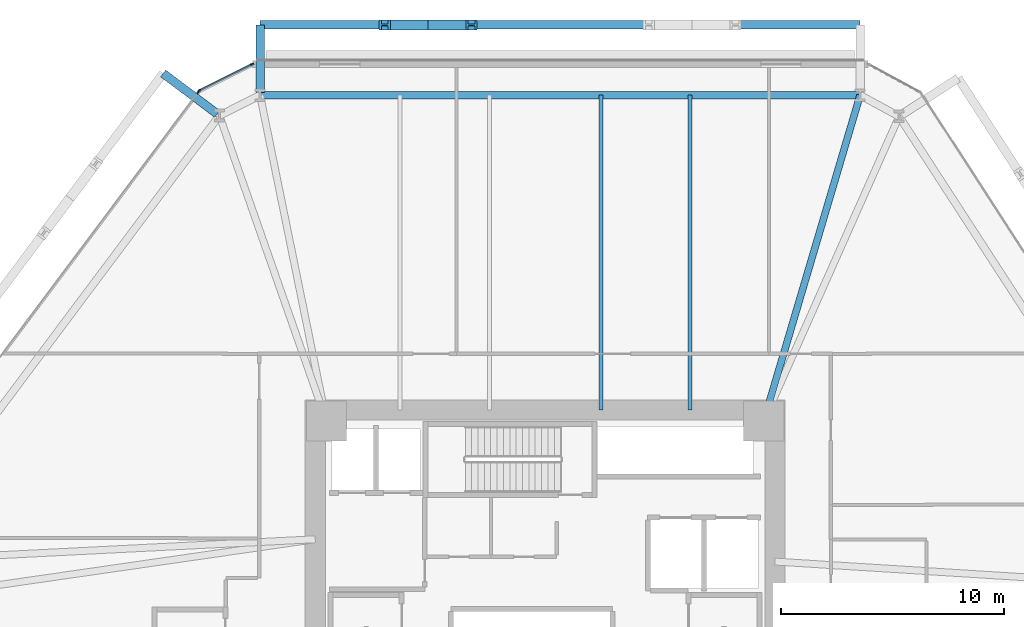
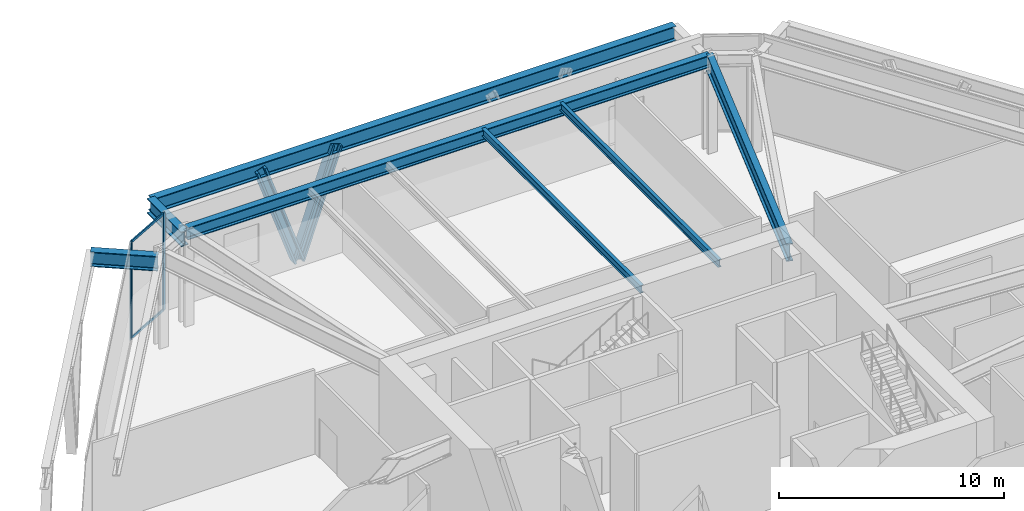
# One storey, part 9 of 19: 7 beams, 7 members, 2 elements without a shape of their own.
"""IFC4 building model written with IfcOpenShell, lengths in metres."""

from ifc_helpers import new_model, si_unit, direction, frame, origin, origin_2d, place, context, subcontext, project, spatial, rectangle, i_section, extrude, source, transform, mapped, material, layer, layer_set, material_profile, profile_set, type_object, type_shapes, element, aggregate, save


model = new_model("IFC4")

# Units and contexts
model_context = context("Model", 3, precision=1e-05, world=origin(), true_north=direction((0.0, 1.0)))
body_context = subcontext(model_context, "Body", "Model", "MODEL_VIEW")
ifc_project = project(units=[si_unit("LENGTHUNIT", "METRE"), si_unit("AREAUNIT", "SQUARE_METRE"), si_unit("VOLUMEUNIT", "CUBIC_METRE"), si_unit("PLANEANGLEUNIT", "RADIAN"), si_unit("MASSUNIT", "GRAM", prefix="KILO")], contexts=[model_context])

# Site, building, storey
site_placement = place(None, origin())
site = spatial("IfcSite", under=ifc_project, at=site_placement, CompositionType="ELEMENT")
building_placement = place(site_placement, origin())
building = spatial("IfcBuilding", under=site, at=building_placement, Name="Durnholm Broadcast Tower", CompositionType="ELEMENT")
storey_placement = place(building_placement, frame((0.0, 0.0, 15.60009765625)))
storey = spatial("IfcBuildingStorey", under=building, at=storey_placement, Name="L03", CompositionType="ELEMENT", Elevation=15.60009765625)

# Beams
ifc_material_1 = material(Name="Steel ASTM A992 Grade 50", Category="steel")
ifc_material_profile_1 = material_profile(ifc_material_1, i_section(OverallWidth=0.3330078125, OverallDepth=0.660888671875, WebThickness=0.0244140625, FlangeThickness=0.0439453125, FilletRadius=0.02783203125, at=origin_2d()), Name="W24X229")
ifc_profile_set_1 = profile_set([ifc_material_profile_1], Name="Steel ASTM A992 Grade 50")
beam_type_1 = type_object("IfcBeamType", Name="STL-SP-W24X229", PredefinedType="SPANDREL", material=ifc_profile_set_1)
shared_shape_1 = source(origin(), body_context, "Body", "SweptSolid", [
    extrude(i_section(OverallWidth=0.3330078125, OverallDepth=0.660888671875, WebThickness=0.0244140625, FlangeThickness=0.0439453125, FilletRadius=0.02783203125, at=origin_2d()), origin(), (0.0, 0.0, 1.0), 26.891357421875),
])
type_shapes(beam_type_1, [shared_shape_1])
beam_1_placement = place(storey_placement, frame((-12.77197265625, 22.39990234375, 4.934326171875), z_axis=(1.0, 0.0, 0.0), x_axis=(0.0, 1.0, 0.0)))
element("IfcBeam", 1, at=beam_1_placement, inside=storey, type_object=beam_type_1, Name="L03 perimeter spandrel girder 05", PredefinedType="SPANDREL", context=body_context, shape_type="MappedRepresentation", body=[
    mapped(shared_shape_1, transform((0.0, 0.0, 0.0), x_axis=(1.0, 0.0, 0.0), y_axis=(0.0, 1.0, 0.0), z_axis=(0.0, 0.0, 1.0), scale=1.0)),
])
ifc_material_profile_2 = material_profile(ifc_material_1, i_section(OverallWidth=0.180908203125, OverallDepth=0.417236328125, WebThickness=0.010986328125, FlangeThickness=0.018310546875, FilletRadius=0.01904296875, at=origin_2d()), Name="W16X57")
ifc_profile_set_2 = profile_set([ifc_material_profile_2], Name="Steel ASTM A992 Grade 50")
beam_type_2 = type_object("IfcBeamType", Name="STL-BJ-W16X57", PredefinedType="JOIST", material=ifc_profile_set_2)
shared_shape_2 = source(origin(), body_context, "Body", "SweptSolid", [
    extrude(i_section(OverallWidth=0.180908203125, OverallDepth=0.417236328125, WebThickness=0.010986328125, FlangeThickness=0.018310546875, FilletRadius=0.01904296875, at=origin_2d()), origin(), (0.0, 0.0, 1.0), 14.099853515625),
])
type_shapes(beam_type_2, [shared_shape_2])
for number, where, z_axis, x_axis, name in (
    (2, (2.5, 8.300048828125, 5.05615234375), (0.0, 1.0, 0.0), (-1.0, 0.0, 0.0), "L03 secondary floor joist 6.2"),
    (3, (6.5, 8.300048828125, 5.05615234375), (0.0, 1.0, 0.0), (-1.0, 0.0, 0.0), "L03 secondary floor joist 7.2"),
):
    element("IfcBeam", number, at=place(storey_placement, frame(where, z_axis=z_axis, x_axis=x_axis)), inside=storey, type_object=beam_type_2, Name=name, PredefinedType="JOIST", context=body_context, shape_type="MappedRepresentation", body=[
        mapped(shared_shape_2, transform((0.0, 0.0, 0.0), x_axis=(1.0, 0.0, 0.0), y_axis=(0.0, 1.0, 0.0), z_axis=(0.0, 0.0, 1.0), scale=1.0)),
    ])
ifc_material_profile_3 = material_profile(ifc_material_1, i_section(OverallWidth=0.385009765625, OverallDepth=0.802978515625, WebThickness=0.023681640625, FlangeThickness=0.0419921875, FilletRadius=0.032958984375, at=origin_2d()), Name="W30X261")
ifc_profile_set_3 = profile_set([ifc_material_profile_3], Name="Steel ASTM A992 Grade 50")
beam_type_3 = type_object("IfcBeamType", Name="BM-EXO-TIE", PredefinedType="USERDEFINED", material=ifc_profile_set_3)
shared_shape_3 = source(origin(), body_context, "Body", "SweptSolid", [
    extrude(i_section(OverallWidth=0.385009765625, OverallDepth=0.802978515625, WebThickness=0.023681640625, FlangeThickness=0.0419921875, FilletRadius=0.032958984375, at=origin_2d()), origin(), (0.0, 0.0, 1.0), 3.024169921875),
])
for number, where, z_axis, x_axis, name in (
    (4, (-12.77197265625, 22.52587890625, 4.5283203125), (0.0, 1.0, 0.0), (-1.0, 0.0, 0.0), "L03 exoskeleton stand-off tie bracket F4.2"),
    (5, (-14.6953125, 21.56298828125, 4.5283203125), (-0.800609912919, 0.599185920509, 0.0), (-0.599185920509, -0.800609912919, 0.0), "L03 exoskeleton stand-off tie bracket F5.1"),
):
    element("IfcBeam", number, at=place(storey_placement, frame(where, z_axis=z_axis, x_axis=x_axis)), inside=storey, type_object=beam_type_3, Name=name, ObjectType="GIRDER", PredefinedType="USERDEFINED", context=body_context, shape_type="MappedRepresentation", body=[
        mapped(shared_shape_3, transform((0.0, 0.0, 0.0), x_axis=(1.0, 0.0, 0.0), y_axis=(0.0, 1.0, 0.0), z_axis=(0.0, 0.0, 1.0), scale=1.0)),
    ])
shared_shape_4 = source(origin(), body_context, "Body", "SweptSolid", [
    extrude(i_section(OverallWidth=0.385009765625, OverallDepth=0.802978515625, WebThickness=0.023681640625, FlangeThickness=0.0419921875, FilletRadius=0.032958984375, at=origin_2d()), origin(), (0.0, 0.0, 1.0), 26.891357421875),
])
type_shapes(beam_type_3, [shared_shape_3, shared_shape_4])
beam_2_placement = place(storey_placement, frame((14.119384765625, 25.550048828125, 4.5283203125), z_axis=(-1.0, 0.0, 0.0), x_axis=(0.0, -1.0, 0.0)))
element("IfcBeam", 6, at=beam_2_placement, inside=storey, type_object=beam_type_3, Name="L03 exoskeleton collector spandrel F4", PredefinedType="SPANDREL", context=body_context, shape_type="MappedRepresentation", body=[
    mapped(shared_shape_4, transform((0.0, 0.0, 0.0), x_axis=(1.0, 0.0, 0.0), y_axis=(0.0, 1.0, 0.0), z_axis=(0.0, 0.0, 1.0), scale=1.0)),
])
ifc_material_profile_4 = material_profile(ifc_material_1, i_section(OverallWidth=0.310302734375, OverallDepth=0.950439453125, WebThickness=0.0244140625, FlangeThickness=0.0439453125, FilletRadius=0.0380859375, at=origin_2d()), Name="W36X256")
ifc_profile_set_4 = profile_set([ifc_material_profile_4], Name="Steel ASTM A992 Grade 50")
beam_type_4 = type_object("IfcBeamType", Name="STL-GR-W36X256", PredefinedType="USERDEFINED", material=ifc_profile_set_4)
shared_shape_5 = source(origin(), body_context, "Body", "SweptSolid", [
    extrude(i_section(OverallWidth=0.310302734375, OverallDepth=0.950439453125, WebThickness=0.0244140625, FlangeThickness=0.0439453125, FilletRadius=0.0380859375, at=origin_2d()), origin(), (0.0, 0.0, 1.0), 15.225341796875),
])
type_shapes(beam_type_4, [shared_shape_5])
beam_3_placement = place(storey_placement, frame((9.800048828125, 7.800048828125, 4.78955078125), z_axis=(0.283693029157, 0.958915150161, 0.0), x_axis=(-0.958915150161, 0.283693029157, 0.0)))
element("IfcBeam", 7, at=beam_3_placement, inside=storey, type_object=beam_type_4, Name="L03 radial primary floor girder 06", ObjectType="GIRDER", PredefinedType="USERDEFINED", context=body_context, shape_type="MappedRepresentation", body=[
    mapped(shared_shape_5, transform((0.0, 0.0, 0.0), x_axis=(1.0, 0.0, 0.0), y_axis=(0.0, 1.0, 0.0), z_axis=(0.0, 0.0, 1.0), scale=1.0)),
])

# Members
ifc_material_2 = material(Name="Steel ASTM A913 Grade 65", Category="steel")
ifc_material_profile_5 = material_profile(ifc_material_2, i_section(OverallWidth=0.44189453125, OverallDepth=0.531494140625, WebThickness=0.06591796875, FlangeThickness=0.105712890625, FilletRadius=0.030517578125, at=origin_2d()), Name="W14X605")
ifc_profile_set_5 = profile_set([ifc_material_profile_5], Name="Steel ASTM A913 Grade 65")
member_type_1 = type_object("IfcMemberType", Name="STL-DG-W14X605", PredefinedType="BRACE", material=ifc_profile_set_5)
shared_shape_6 = source(origin(), body_context, "Body", "SweptSolid", [
    extrude(i_section(OverallWidth=0.44189453125, OverallDepth=0.531494140625, WebThickness=0.06591796875, FlangeThickness=0.105712890625, FilletRadius=0.030517578125, at=origin_2d()), origin(), (0.0, 0.0, 1.0), 5.927734375),
])
type_shapes(member_type_1, [shared_shape_6])
for number, where, z_axis, x_axis, name in (
    (8, (-5.242431640625, 25.550048828125, -1.071533203125), (0.328003010817, 0.0, 0.944676677438), (0.0, 1.0, 0.0), "L03 stand-off diagrid brace F4.D2.1"),
    (9, (-5.242431640625, 25.550048828125, -1.071533203125), (-0.327966255365, 0.0, 0.944689438568), (0.0, -1.0, 0.0), "L03 stand-off diagrid brace F4.D2.2"),
):
    element("IfcMember", number, at=place(storey_placement, frame(where, z_axis=z_axis, x_axis=x_axis)), inside=storey, type_object=member_type_1, Name=name, PredefinedType="BRACE", context=body_context, shape_type="MappedRepresentation", body=[
        mapped(shared_shape_6, transform((0.0, 0.0, 0.0), x_axis=(1.0, 0.0, 0.0), y_axis=(0.0, 1.0, 0.0), z_axis=(0.0, 0.0, 1.0), scale=1.0)),
    ])

# Curtain wall, members
ifc_material_3 = material(Name="Aluminium and Solar Control IGU", Category="aluminium")
ifc_layer_1 = layer(ifc_material_3, 0.1650390625)
ifc_layer_set_1 = layer_set([ifc_layer_1], Name="Aluminium and Solar Control IGU")
curtain_wall_type_1 = type_object("IfcCurtainWallType", Name="CW-SYS-5", PredefinedType="NOTDEFINED", material=ifc_layer_set_1)
curtain_wall_1_placement = place(storey_placement, origin())
curtain_wall_1 = element("IfcCurtainWall", 10, at=curtain_wall_1_placement, inside=storey, type_object=curtain_wall_type_1, Name="L03 curtain wall CW-CORNER CW-L03-CRN-03", PredefinedType="NOTDEFINED")
ifc_material_4 = material(Name="Aluminium 6063-T6", Category="aluminium")
ifc_material_profile_6 = material_profile(ifc_material_4, rectangle(XDim=0.06494140625, YDim=0.1650390625, at=origin_2d()), Name="CWM65X165")
ifc_profile_set_6 = profile_set([ifc_material_profile_6], Name="Aluminium 6063-T6")
member_type_2 = type_object("IfcMemberType", Name="CW-SYS-5-MUL", PredefinedType="MULLION", material=ifc_profile_set_6)
shared_shape_7 = source(origin(), body_context, "Body", "SweptSolid", [
    extrude(rectangle(XDim=0.06494140625, YDim=0.1650390625, at=origin_2d()), origin(), (0.0, 0.0, 1.0), 5.27978515625),
])
type_shapes(member_type_2, [shared_shape_7])
member_1_placement = place(storey_placement, frame((-15.488037109375, 22.60595703125, 0.0), z_axis=(0.0, 0.0, 1.0), x_axis=(-0.447672802098, 0.894197440313, 0.0)))
member_1 = element("IfcMember", 11, at=member_1_placement, type_object=member_type_2, Name="CW-CORNER mullion 1", PredefinedType="MULLION", context=body_context, shape_type="MappedRepresentation", body=[
    mapped(shared_shape_7, transform((0.0, 0.0, 0.0), x_axis=(1.0, 0.0, 0.0), y_axis=(0.0, 1.0, 0.0), z_axis=(0.0, 0.0, 1.0), scale=1.0)),
])
member_2_placement = place(storey_placement, frame((-13.1318359375, 23.785400390625, 0.0), z_axis=(0.0, 0.0, 1.0), x_axis=(-0.447672802098, 0.894197440313, 0.0)))
member_2 = element("IfcMember", 12, at=member_2_placement, type_object=member_type_2, Name="CW-CORNER mullion 2", PredefinedType="MULLION", context=body_context, shape_type="MappedRepresentation", body=[
    mapped(shared_shape_7, transform((0.0, 0.0, 0.0), x_axis=(1.0, 0.0, 0.0), y_axis=(0.0, 1.0, 0.0), z_axis=(0.0, 0.0, 1.0), scale=1.0)),
])
ifc_material_profile_7 = material_profile(ifc_material_4, rectangle(XDim=0.06494140625, YDim=0.1298828125, at=origin_2d()), Name="CWT65X130")
ifc_profile_set_7 = profile_set([ifc_material_profile_7], Name="Aluminium 6063-T6")
member_type_3 = type_object("IfcMemberType", Name="CW-SYS-5-TRN", PredefinedType="USERDEFINED", material=ifc_profile_set_7)
shared_shape_8 = source(origin(), body_context, "Body", "SweptSolid", [
    extrude(rectangle(XDim=0.06494140625, YDim=0.1298828125, at=origin_2d()), origin(), (0.0, 0.0, 1.0), 2.570068359375),
])
type_shapes(member_type_3, [shared_shape_8])
member_3_placement = place(storey_placement, frame((-15.458984375, 22.620361328125, 0.032470703125), z_axis=(0.894180069769, 0.447707496953, 0.0), x_axis=(-0.447707496953, 0.894180069769, 0.0)))
member_3 = element("IfcMember", 13, at=member_3_placement, type_object=member_type_3, Name="CW-CORNER transom 1.1", ObjectType="TRANSOM", PredefinedType="USERDEFINED", context=body_context, shape_type="MappedRepresentation", body=[
    mapped(shared_shape_8, transform((0.0, 0.0, 0.0), x_axis=(1.0, 0.0, 0.0), y_axis=(0.0, 1.0, 0.0), z_axis=(0.0, 0.0, 1.0), scale=1.0)),
])
member_4_placement = place(storey_placement, frame((-15.458984375, 22.620361328125, 5.247314453125), z_axis=(0.894180069769, 0.447707496953, 0.0), x_axis=(-0.447707496953, 0.894180069769, 0.0)))
member_4 = element("IfcMember", 14, at=member_4_placement, type_object=member_type_3, Name="CW-CORNER transom 1.2", ObjectType="TRANSOM", PredefinedType="USERDEFINED", context=body_context, shape_type="MappedRepresentation", body=[
    mapped(shared_shape_8, transform((0.0, 0.0, 0.0), x_axis=(1.0, 0.0, 0.0), y_axis=(0.0, 1.0, 0.0), z_axis=(0.0, 0.0, 1.0), scale=1.0)),
])
aggregate(curtain_wall_1, [member_1, member_2, member_3, member_4])

# Curtain wall, member
ifc_layer_2 = layer(ifc_material_3, 0.219970703125)
ifc_layer_set_2 = layer_set([ifc_layer_2], Name="Aluminium and Solar Control IGU")
curtain_wall_type_2 = type_object("IfcCurtainWallType", Name="CW-SYS-2", PredefinedType="NOTDEFINED", material=ifc_layer_set_2)
curtain_wall_2_placement = place(storey_placement, origin())
curtain_wall_2 = element("IfcCurtainWall", 15, at=curtain_wall_2_placement, inside=storey, type_object=curtain_wall_type_2, Name="L03 curtain wall CW-STUDIO CW-L03-F02", PredefinedType="NOTDEFINED")
ifc_material_profile_8 = material_profile(ifc_material_4, rectangle(XDim=0.074951171875, YDim=0.219970703125, at=origin_2d()), Name="CWM75X220")
ifc_profile_set_8 = profile_set([ifc_material_profile_8], Name="Aluminium 6063-T6")
member_type_4 = type_object("IfcMemberType", Name="CW-SYS-2-MUL", PredefinedType="MULLION", material=ifc_profile_set_8)
shared_shape_9 = source(origin(), body_context, "Body", "SweptSolid", [
    extrude(rectangle(XDim=0.074951171875, YDim=0.219970703125, at=origin_2d()), origin(), (0.0, 0.0, 1.0), 5.27978515625),
])
type_shapes(member_type_4, [shared_shape_9])
member_5_placement = place(storey_placement, frame((-15.53955078125, 22.561279296875, 0.0), z_axis=(0.0, 0.0, 1.0), x_axis=(-0.800631836327, 0.59915662615, 0.0)))
member_5 = element("IfcMember", 16, at=member_5_placement, type_object=member_type_4, Name="CW-STUDIO mullion 3", PredefinedType="MULLION", context=body_context, shape_type="MappedRepresentation", body=[
    mapped(shared_shape_9, transform((0.0, 0.0, 0.0), x_axis=(1.0, 0.0, 0.0), y_axis=(0.0, 1.0, 0.0), z_axis=(0.0, 0.0, 1.0), scale=1.0)),
])
aggregate(curtain_wall_2, [member_5])

save(model, "model.ifc")
